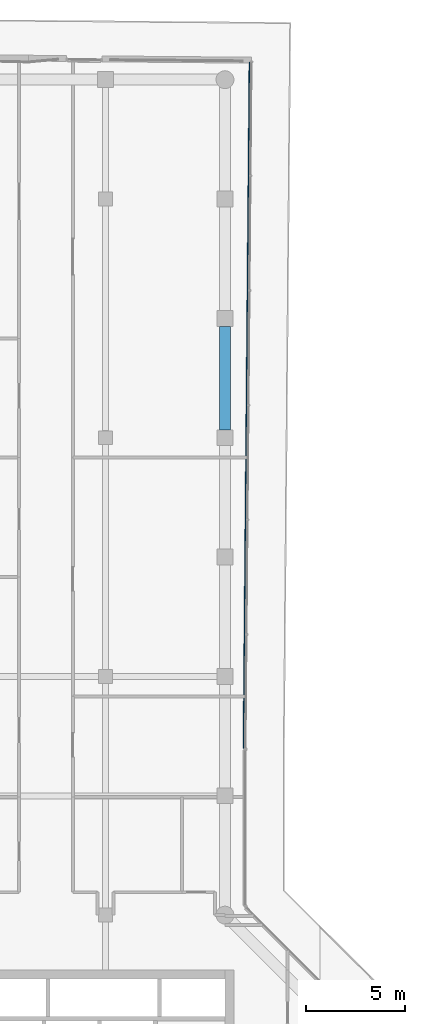
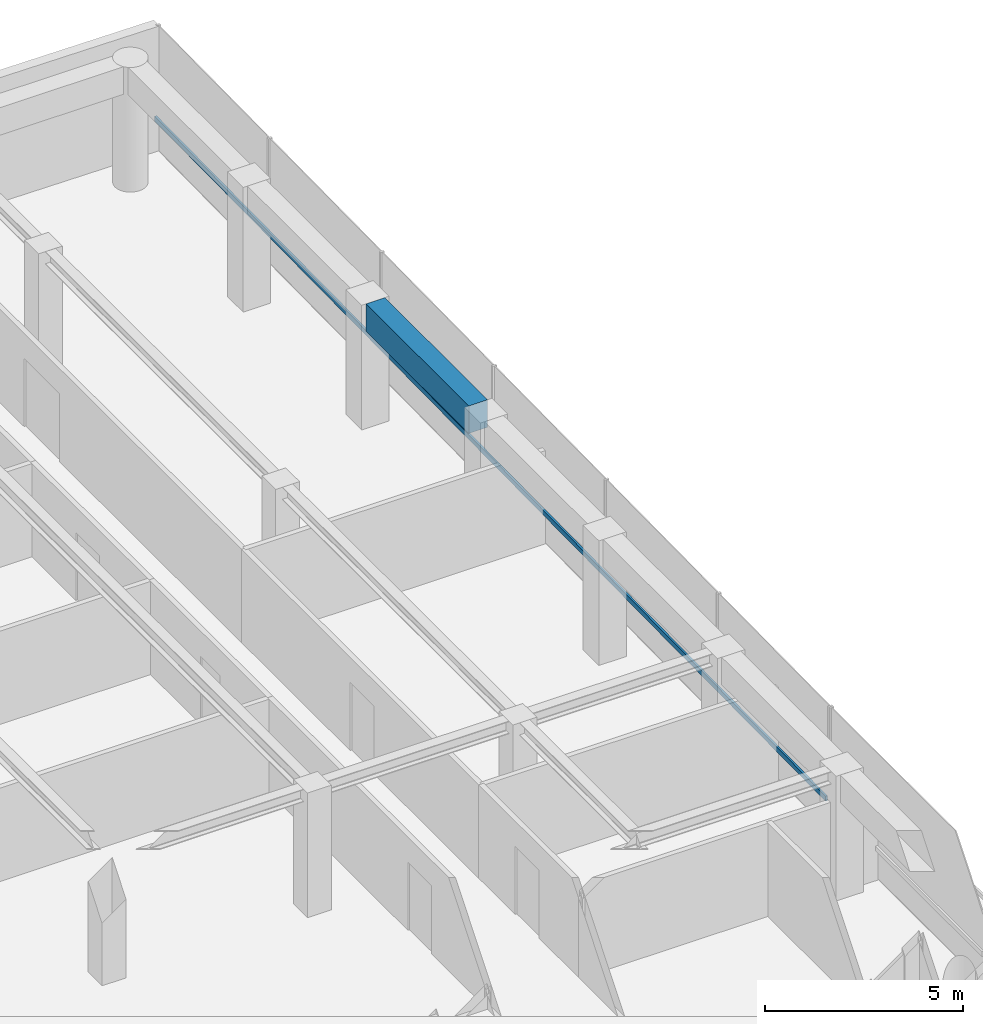
# One storey, part 12 of 19: 1 beam, 1 member, 1 element without a shape of its own.
"""IFC4 building model written with IfcOpenShell, lengths in metres."""

from ifc_helpers import new_model, si_unit, direction, frame, origin, origin_2d, place, context, subcontext, project, spatial, rectangle, extrude, material, layer, layer_set, material_profile, profile_set, type_object, element, aggregate, save


model = new_model("IFC4")

# Units and contexts
model_context = context("Model", 3, precision=1e-05, world=origin(), true_north=direction((0.0, 1.0)))
body_context = subcontext(model_context, "Body", "Model", "MODEL_VIEW")
ifc_project = project(units=[si_unit("LENGTHUNIT", "METRE"), si_unit("AREAUNIT", "SQUARE_METRE"), si_unit("VOLUMEUNIT", "CUBIC_METRE"), si_unit("PLANEANGLEUNIT", "RADIAN"), si_unit("MASSUNIT", "GRAM", prefix="KILO")], contexts=[model_context])

# Site, building, storey
site_placement = place(None, origin())
site = spatial("IfcSite", under=ifc_project, at=site_placement, CompositionType="ELEMENT")
building_placement = place(site_placement, origin())
building = spatial("IfcBuilding", under=site, at=building_placement, Name="Welwitschia Terrace Campus", CompositionType="ELEMENT")
storey_placement = place(building_placement, frame((0.0, 0.0, 230.60009765625)))
storey = spatial("IfcBuildingStorey", under=building, at=storey_placement, Name="L51", CompositionType="ELEMENT", Elevation=230.60009765625)

# Beam
ifc_material_1 = material(Name="Concrete C50/60", Category="concrete")
ifc_material_profile_1 = material_profile(ifc_material_1, rectangle(XDim=0.550048828125, YDim=0.85009765625, at=origin_2d()))
ifc_profile_set_1 = profile_set([ifc_material_profile_1], Name="Concrete C50/60")
beam_type = type_object("IfcBeamType", Name="Ring spandrel 550x850", PredefinedType="SPANDREL", material=ifc_profile_set_1)
beam_placement = place(storey_placement, frame((24.0, 52.400390625, 3.4248046875), z_axis=(0.0, 1.0, 0.0), x_axis=(-1.0, 0.0, 0.0)))
element("IfcBeam", 1, at=beam_placement, inside=storey, type_object=beam_type, Name="Spandrel SP3", PredefinedType="SPANDREL", context=body_context, shape_type="SweptSolid", body=[
    extrude(rectangle(XDim=0.550048828125, YDim=0.85009765625, at=origin_2d()), origin(), (0.0, 0.0, 1.0), 5.19921875),
])

# Curtain wall, member
ifc_material_2 = material(Name="Bronze anodised aluminium", Category="aluminium")
ifc_layer = layer(ifc_material_2, 0.1201171875)
ifc_layer_set = layer_set([ifc_layer], Name="Bronze anodised aluminium")
curtain_wall_type = type_object("IfcCurtainWallType", Name="Curtain wall CW2 tower 6000", PredefinedType="NOTDEFINED", material=ifc_layer_set)
curtain_wall_placement = place(storey_placement, origin())
curtain_wall = element("IfcCurtainWall", 2, at=curtain_wall_placement, inside=storey, type_object=curtain_wall_type, Name="CW L51.10.0", PredefinedType="NOTDEFINED")
ifc_material_3 = material(Name="Bronze anodised aluminium", Category="aluminium")
ifc_material_profile_2 = material_profile(ifc_material_3, rectangle(XDim=0.06005859375, YDim=0.14990234375, at=origin_2d()))
ifc_profile_set_2 = profile_set([ifc_material_profile_2], Name="Bronze anodised aluminium")
member_type = type_object("IfcMemberType", Name="Transom 60x150", PredefinedType="USERDEFINED", material=ifc_profile_set_2)
member_placement = place(storey_placement, frame((24.9404296875, 36.400634765625, 1.0), z_axis=(0.008732023542, 0.999961875156, 0.0), x_axis=(-0.999961875156, 0.008732023542, 0.0)))
member = element("IfcMember", 3, at=member_placement, type_object=member_type, Name="Transom L51.10.0", ObjectType="TRANSOM", PredefinedType="USERDEFINED", context=body_context, shape_type="SweptSolid", body=[
    extrude(rectangle(XDim=0.06005859375, YDim=0.14990234375, at=origin_2d()), origin(), (0.0, 0.0, 1.0), 34.4736328125),
])
aggregate(curtain_wall, [member])

save(model, "model.ifc")
